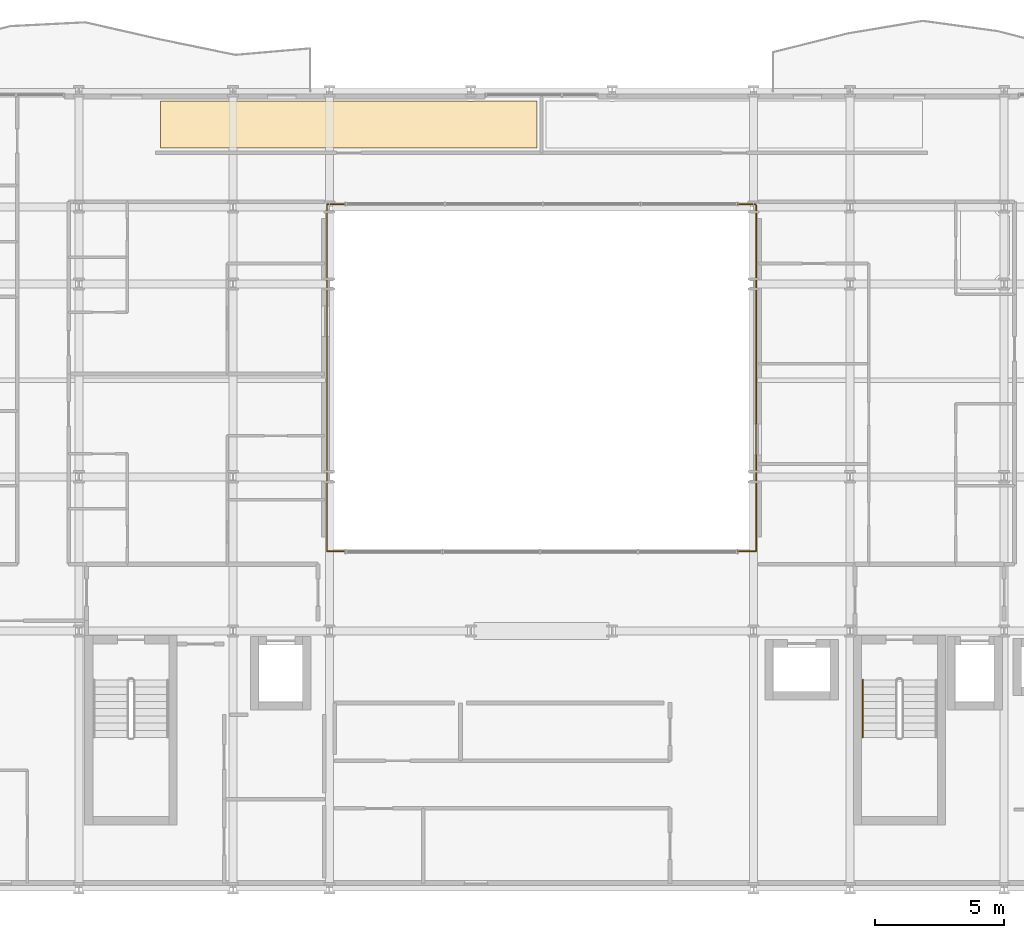
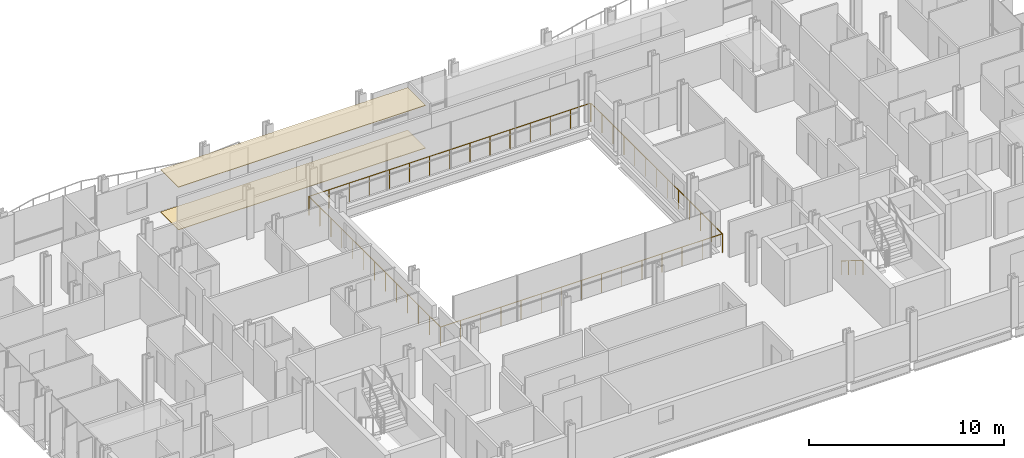
# One storey, part 37 of 39: 3 railings, 2 coverings.
"""IFC4 building model written with IfcOpenShell, lengths in metres."""

from ifc_helpers import new_model, si_unit, direction, frame, origin, origin_2d, place, context, subcontext, project, spatial, polyline, circle, outline, extrude, material, layer, layer_set, type_object, element, save


model = new_model("IFC4")

# Units and contexts
model_context = context("Model", 3, precision=1e-05, world=origin(), true_north=direction((0.0, 1.0)))
body_context = subcontext(model_context, "Body", "Model", "MODEL_VIEW")
ifc_project = project(units=[si_unit("LENGTHUNIT", "METRE"), si_unit("AREAUNIT", "SQUARE_METRE"), si_unit("VOLUMEUNIT", "CUBIC_METRE"), si_unit("PLANEANGLEUNIT", "RADIAN"), si_unit("MASSUNIT", "GRAM", prefix="KILO")], contexts=[model_context])

# Site, building, storey
site_placement = place(None, origin())
site = spatial("IfcSite", under=ifc_project, at=site_placement, CompositionType="ELEMENT")
building_placement = place(site_placement, origin())
building = spatial("IfcBuilding", under=site, at=building_placement, Name="Brevholm Reach", CompositionType="ELEMENT")
storey_placement = place(building_placement, frame((0.0, 0.0, 40.39990234375)))
storey = spatial("IfcBuildingStorey", under=building, at=storey_placement, Name="L10", CompositionType="ELEMENT", Elevation=40.39990234375)

# Coverings
ifc_material_1 = material(Name="Moisture-Resistant Skimmed Gypsum Plasterboard Ceiling", Category="gypsum")
ifc_layer_1 = layer(ifc_material_1, 0.030029296875)
ifc_layer_set_1 = layer_set([ifc_layer_1], Name="Moisture-Resistant Skimmed Gypsum Plasterboard Ceiling")
covering_type_1 = type_object("IfcCoveringType", Name="COV-CLG-GYP", PredefinedType="CEILING", material=ifc_layer_set_1)
covering_1_placement = place(storey_placement, frame((0.0, 0.0, 2.670166015625)))
element("IfcCovering", 1, at=covering_1_placement, inside=storey, type_object=covering_type_1, Name="L10 Suspended Ceiling L10-78", PredefinedType="CEILING", context=body_context, shape_type="SweptSolid", body=[
    extrude(outline(polyline([(15.179931640625, 30.6201171875), (17.876220703125, 30.6201171875), (17.8837890625, 30.6171875), (17.922119140625, 30.607666015625), (17.960693359375, 30.601806640625), (18.0, 30.60009765625), (18.039306640625, 30.601806640625), (18.077880859375, 30.607666015625), (18.1162109375, 30.6171875), (18.123779296875, 30.6201171875), (21.626220703125, 30.6201171875), (21.6337890625, 30.6171875), (21.672119140625, 30.607666015625), (21.710693359375, 30.601806640625), (21.75, 30.60009765625), (21.789306640625, 30.601806640625), (21.827880859375, 30.607666015625), (21.8662109375, 30.6171875), (21.873779296875, 30.6201171875), (27.126220703125, 30.6201171875), (27.1337890625, 30.6171875), (27.172119140625, 30.607666015625), (27.210693359375, 30.601806640625), (27.25, 30.60009765625), (27.289306640625, 30.601806640625), (27.327880859375, 30.607666015625), (27.3662109375, 30.6171875), (27.373779296875, 30.6201171875), (29.820068359375, 30.6201171875), (29.820068359375, 28.783935546875), (15.179931640625, 28.783935546875), (15.179931640625, 30.6201171875)])), origin(), (0.0, 0.0, 1.0), 0.030029296875),
])
ifc_material_2 = material(Name="Honed Portland-Aggregate Resin Terrazzo Flooring", Category="concrete")
ifc_layer_2 = layer(ifc_material_2, 0.031982421875)
ifc_layer_set_2 = layer_set([ifc_layer_2], Name="Honed Portland-Aggregate Resin Terrazzo Flooring")
covering_type_2 = type_object("IfcCoveringType", Name="COV-FLR-TRZ", PredefinedType="FLOORING", material=ifc_layer_set_2)
covering_2_placement = place(storey_placement, origin())
element("IfcCovering", 2, at=covering_2_placement, inside=storey, type_object=covering_type_2, Name="L10 Floor Finish L10-78", PredefinedType="FLOORING", context=body_context, shape_type="SweptSolid", body=[
    extrude(outline(polyline([(15.179931640625, 30.6201171875), (17.876220703125, 30.6201171875), (17.8837890625, 30.6171875), (17.922119140625, 30.607666015625), (17.960693359375, 30.601806640625), (18.0, 30.60009765625), (18.039306640625, 30.601806640625), (18.077880859375, 30.607666015625), (18.1162109375, 30.6171875), (18.123779296875, 30.6201171875), (21.626220703125, 30.6201171875), (21.6337890625, 30.6171875), (21.672119140625, 30.607666015625), (21.710693359375, 30.601806640625), (21.75, 30.60009765625), (21.789306640625, 30.601806640625), (21.827880859375, 30.607666015625), (21.8662109375, 30.6171875), (21.873779296875, 30.6201171875), (27.126220703125, 30.6201171875), (27.1337890625, 30.6171875), (27.172119140625, 30.607666015625), (27.210693359375, 30.601806640625), (27.25, 30.60009765625), (27.289306640625, 30.601806640625), (27.327880859375, 30.607666015625), (27.3662109375, 30.6171875), (27.373779296875, 30.6201171875), (29.820068359375, 30.6201171875), (29.820068359375, 28.783935546875), (15.179931640625, 28.783935546875), (15.179931640625, 30.6201171875)])), origin(), (0.0, 0.0, 1.0), 0.031982421875),
])

# Railings
ifc_material_3 = material(Name="Brushed Stainless Steel EN 1.4401 Continuous Handrail", Category="steel")
railing_type_1 = type_object("IfcRailingType", Name="RAL-HND-950", PredefinedType="HANDRAIL", material=ifc_material_3)
railing_1_placement = place(storey_placement, frame((42.5, 8.10009765625, 0.17236328125)))
element("IfcRailing", 3, at=railing_1_placement, inside=storey, type_object=railing_type_1, Name="L10 ST-2 stair handrail 1", PredefinedType="HANDRAIL", context=body_context, shape_type="SweptSolid", body=[
    extrude(circle(Radius=0.02392578125, at=origin_2d()), frame((0.0, 0.0, 0.8857421875), z_axis=(0.0, -0.85178898068, 0.523885037382), x_axis=(1.0, 0.0, 0.0)), (0.0, 0.0, 1.0), 2.629638671875),
    extrude(circle(Radius=0.02099609375, at=origin_2d()), origin(), (0.0, 0.0, 1.0), 0.86181640625),
    extrude(circle(Radius=0.02099609375, at=origin_2d()), frame((0.0, -0.74658203125, 0.459228515625)), (0.0, 0.0, 1.0), 0.86181640625),
    extrude(circle(Radius=0.02099609375, at=origin_2d()), frame((0.0, -1.493408203125, 0.91845703125)), (0.0, 0.0, 1.0), 0.86181640625),
    extrude(circle(Radius=0.02099609375, at=origin_2d()), frame((0.0, -2.239990234375, 1.377685546875)), (0.0, 0.0, 1.0), 0.86181640625),
])
ifc_material_4 = material(Name="Brushed Stainless Steel EN 1.4401 and Laminated Glass", Category="steel")
railing_type_2 = type_object("IfcRailingType", Name="RAL-TERR-1200", PredefinedType="BALUSTRADE", material=ifc_material_4)
railing_2_placement = place(storey_placement, frame((21.64990234375, 13.10009765625, 0.0)))
element("IfcRailing", 4, at=railing_2_placement, inside=storey, type_object=railing_type_2, Name="L10 Guard Balustrade RAL-L10-AT-VOID-SW", PredefinedType="BALUSTRADE", context=body_context, shape_type="SweptSolid", body=[
    extrude(circle(Radius=0.02392578125, at=origin_2d()), frame((0.0, 0.0, 1.17578125), z_axis=(1.0, 0.0, 0.0), x_axis=(0.0, 1.0, 0.0)), (0.0, 0.0, 1.0), 16.7001953125),
    extrude(circle(Radius=0.02392578125, at=origin_2d()), frame((16.7001953125, 0.0, 1.17578125), z_axis=(0.0, 1.0, 0.0), x_axis=(-1.0, 0.0, 0.0)), (0.0, 0.0, 1.0), 13.47998046875),
    extrude(circle(Radius=0.02099609375, at=origin_2d()), origin(), (0.0, 0.0, 1.0), 1.15185546875),
    extrude(circle(Radius=0.02099609375, at=origin_2d()), frame((1.19287109375, 0.0, 0.0)), (0.0, 0.0, 1.0), 1.15185546875),
    extrude(circle(Radius=0.02099609375, at=origin_2d()), frame((2.3857421875, 0.0, 0.0)), (0.0, 0.0, 1.0), 1.15185546875),
    extrude(circle(Radius=0.02099609375, at=origin_2d()), frame((3.57861328125, 0.0, 0.0)), (0.0, 0.0, 1.0), 1.15185546875),
    extrude(circle(Radius=0.02099609375, at=origin_2d()), frame((4.771484375, 0.0, 0.0)), (0.0, 0.0, 1.0), 1.15185546875),
    extrude(circle(Radius=0.02099609375, at=origin_2d()), frame((5.96435546875, 0.0, 0.0)), (0.0, 0.0, 1.0), 1.15185546875),
    extrude(circle(Radius=0.02099609375, at=origin_2d()), frame((7.1572265625, 0.0, 0.0)), (0.0, 0.0, 1.0), 1.15185546875),
    extrude(circle(Radius=0.02099609375, at=origin_2d()), frame((8.35009765625, 0.0, 0.0)), (0.0, 0.0, 1.0), 1.15185546875),
    extrude(circle(Radius=0.02099609375, at=origin_2d()), frame((9.54296875, 0.0, 0.0)), (0.0, 0.0, 1.0), 1.15185546875),
    extrude(circle(Radius=0.02099609375, at=origin_2d()), frame((10.73583984375, 0.0, 0.0)), (0.0, 0.0, 1.0), 1.15185546875),
    extrude(circle(Radius=0.02099609375, at=origin_2d()), frame((11.9287109375, 0.0, 0.0)), (0.0, 0.0, 1.0), 1.15185546875),
    extrude(circle(Radius=0.02099609375, at=origin_2d()), frame((13.12158203125, 0.0, 0.0)), (0.0, 0.0, 1.0), 1.15185546875),
    extrude(circle(Radius=0.02099609375, at=origin_2d()), frame((14.314453125, 0.0, 0.0)), (0.0, 0.0, 1.0), 1.15185546875),
    extrude(circle(Radius=0.02099609375, at=origin_2d()), frame((15.50732421875, 0.0, 0.0)), (0.0, 0.0, 1.0), 1.15185546875),
    extrude(circle(Radius=0.02099609375, at=origin_2d()), frame((16.7001953125, 0.0, 0.0)), (0.0, 0.0, 1.0), 1.15185546875),
    extrude(circle(Radius=0.02099609375, at=origin_2d()), frame((16.7001953125, 1.123291015625, 0.0)), (0.0, 0.0, 1.0), 1.15185546875),
    extrude(circle(Radius=0.02099609375, at=origin_2d()), frame((16.7001953125, 2.24658203125, 0.0)), (0.0, 0.0, 1.0), 1.15185546875),
    extrude(circle(Radius=0.02099609375, at=origin_2d()), frame((16.7001953125, 3.3701171875, 0.0)), (0.0, 0.0, 1.0), 1.15185546875),
    extrude(circle(Radius=0.02099609375, at=origin_2d()), frame((16.7001953125, 4.493408203125, 0.0)), (0.0, 0.0, 1.0), 1.15185546875),
    extrude(circle(Radius=0.02099609375, at=origin_2d()), frame((16.7001953125, 5.61669921875, 0.0)), (0.0, 0.0, 1.0), 1.15185546875),
    extrude(circle(Radius=0.02099609375, at=origin_2d()), frame((16.7001953125, 6.739990234375, 0.0)), (0.0, 0.0, 1.0), 1.15185546875),
    extrude(circle(Radius=0.02099609375, at=origin_2d()), frame((16.7001953125, 7.86328125, 0.0)), (0.0, 0.0, 1.0), 1.15185546875),
    extrude(circle(Radius=0.02099609375, at=origin_2d()), frame((16.7001953125, 8.986572265625, 0.0)), (0.0, 0.0, 1.0), 1.15185546875),
    extrude(circle(Radius=0.02099609375, at=origin_2d()), frame((16.7001953125, 10.10986328125, 0.0)), (0.0, 0.0, 1.0), 1.15185546875),
    extrude(circle(Radius=0.02099609375, at=origin_2d()), frame((16.7001953125, 11.2333984375, 0.0)), (0.0, 0.0, 1.0), 1.15185546875),
    extrude(circle(Radius=0.02099609375, at=origin_2d()), frame((16.7001953125, 12.356689453125, 0.0)), (0.0, 0.0, 1.0), 1.15185546875),
    extrude(circle(Radius=0.02099609375, at=origin_2d()), frame((16.7001953125, 13.47998046875, 0.0)), (0.0, 0.0, 1.0), 1.15185546875),
])
railing_3_placement = place(storey_placement, frame((38.330078125, 26.60009765625, 0.0)))
element("IfcRailing", 5, at=railing_3_placement, inside=storey, type_object=railing_type_2, Name="L10 Guard Balustrade RAL-L10-AT-VOID-NE", PredefinedType="BALUSTRADE", context=body_context, shape_type="SweptSolid", body=[
    extrude(circle(Radius=0.02392578125, at=origin_2d()), frame((0.0, 0.0, 1.17578125), z_axis=(-1.0, 0.0, 0.0), x_axis=(0.0, -1.0, 0.0)), (0.0, 0.0, 1.0), 16.68017578125),
    extrude(circle(Radius=0.02392578125, at=origin_2d()), frame((-16.68017578125, 0.0, 1.17578125), z_axis=(0.0, -1.0, 0.0), x_axis=(1.0, 0.0, 0.0)), (0.0, 0.0, 1.0), 13.47998046875),
    extrude(circle(Radius=0.02099609375, at=origin_2d()), origin(), (0.0, 0.0, 1.0), 1.15185546875),
    extrude(circle(Radius=0.02099609375, at=origin_2d()), frame((-1.19140625, 0.0, 0.0)), (0.0, 0.0, 1.0), 1.15185546875),
    extrude(circle(Radius=0.02099609375, at=origin_2d()), frame((-2.3828125, 0.0, 0.0)), (0.0, 0.0, 1.0), 1.15185546875),
    extrude(circle(Radius=0.02099609375, at=origin_2d()), frame((-3.57421875, 0.0, 0.0)), (0.0, 0.0, 1.0), 1.15185546875),
    extrude(circle(Radius=0.02099609375, at=origin_2d()), frame((-4.765869140625, 0.0, 0.0)), (0.0, 0.0, 1.0), 1.15185546875),
    extrude(circle(Radius=0.02099609375, at=origin_2d()), frame((-5.957275390625, 0.0, 0.0)), (0.0, 0.0, 1.0), 1.15185546875),
    extrude(circle(Radius=0.02099609375, at=origin_2d()), frame((-7.148681640625, 0.0, 0.0)), (0.0, 0.0, 1.0), 1.15185546875),
    extrude(circle(Radius=0.02099609375, at=origin_2d()), frame((-8.340087890625, 0.0, 0.0)), (0.0, 0.0, 1.0), 1.15185546875),
    extrude(circle(Radius=0.02099609375, at=origin_2d()), frame((-9.531494140625, 0.0, 0.0)), (0.0, 0.0, 1.0), 1.15185546875),
    extrude(circle(Radius=0.02099609375, at=origin_2d()), frame((-10.722900390625, 0.0, 0.0)), (0.0, 0.0, 1.0), 1.15185546875),
    extrude(circle(Radius=0.02099609375, at=origin_2d()), frame((-11.914306640625, 0.0, 0.0)), (0.0, 0.0, 1.0), 1.15185546875),
    extrude(circle(Radius=0.02099609375, at=origin_2d()), frame((-13.10595703125, 0.0, 0.0)), (0.0, 0.0, 1.0), 1.15185546875),
    extrude(circle(Radius=0.02099609375, at=origin_2d()), frame((-14.29736328125, 0.0, 0.0)), (0.0, 0.0, 1.0), 1.15185546875),
    extrude(circle(Radius=0.02099609375, at=origin_2d()), frame((-15.48876953125, 0.0, 0.0)), (0.0, 0.0, 1.0), 1.15185546875),
    extrude(circle(Radius=0.02099609375, at=origin_2d()), frame((-16.68017578125, 0.0, 0.0)), (0.0, 0.0, 1.0), 1.15185546875),
    extrude(circle(Radius=0.02099609375, at=origin_2d()), frame((-16.68017578125, -1.123291015625, 0.0)), (0.0, 0.0, 1.0), 1.15185546875),
    extrude(circle(Radius=0.02099609375, at=origin_2d()), frame((-16.68017578125, -2.24658203125, 0.0)), (0.0, 0.0, 1.0), 1.15185546875),
    extrude(circle(Radius=0.02099609375, at=origin_2d()), frame((-16.68017578125, -3.3701171875, 0.0)), (0.0, 0.0, 1.0), 1.15185546875),
    extrude(circle(Radius=0.02099609375, at=origin_2d()), frame((-16.68017578125, -4.493408203125, 0.0)), (0.0, 0.0, 1.0), 1.15185546875),
    extrude(circle(Radius=0.02099609375, at=origin_2d()), frame((-16.68017578125, -5.61669921875, 0.0)), (0.0, 0.0, 1.0), 1.15185546875),
    extrude(circle(Radius=0.02099609375, at=origin_2d()), frame((-16.68017578125, -6.739990234375, 0.0)), (0.0, 0.0, 1.0), 1.15185546875),
    extrude(circle(Radius=0.02099609375, at=origin_2d()), frame((-16.68017578125, -7.86328125, 0.0)), (0.0, 0.0, 1.0), 1.15185546875),
    extrude(circle(Radius=0.02099609375, at=origin_2d()), frame((-16.68017578125, -8.986572265625, 0.0)), (0.0, 0.0, 1.0), 1.15185546875),
    extrude(circle(Radius=0.02099609375, at=origin_2d()), frame((-16.68017578125, -10.10986328125, 0.0)), (0.0, 0.0, 1.0), 1.15185546875),
    extrude(circle(Radius=0.02099609375, at=origin_2d()), frame((-16.68017578125, -11.2333984375, 0.0)), (0.0, 0.0, 1.0), 1.15185546875),
    extrude(circle(Radius=0.02099609375, at=origin_2d()), frame((-16.68017578125, -12.356689453125, 0.0)), (0.0, 0.0, 1.0), 1.15185546875),
    extrude(circle(Radius=0.02099609375, at=origin_2d()), frame((-16.68017578125, -13.47998046875, 0.0)), (0.0, 0.0, 1.0), 1.15185546875),
])

save(model, "model.ifc")
